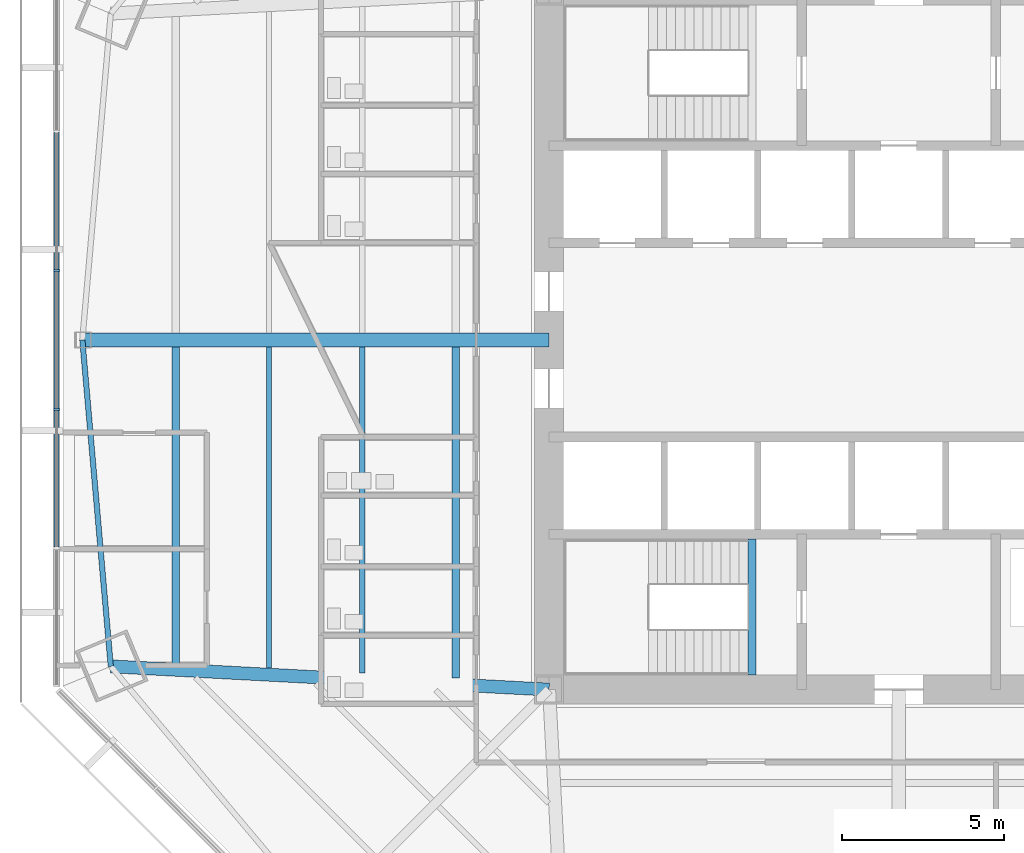
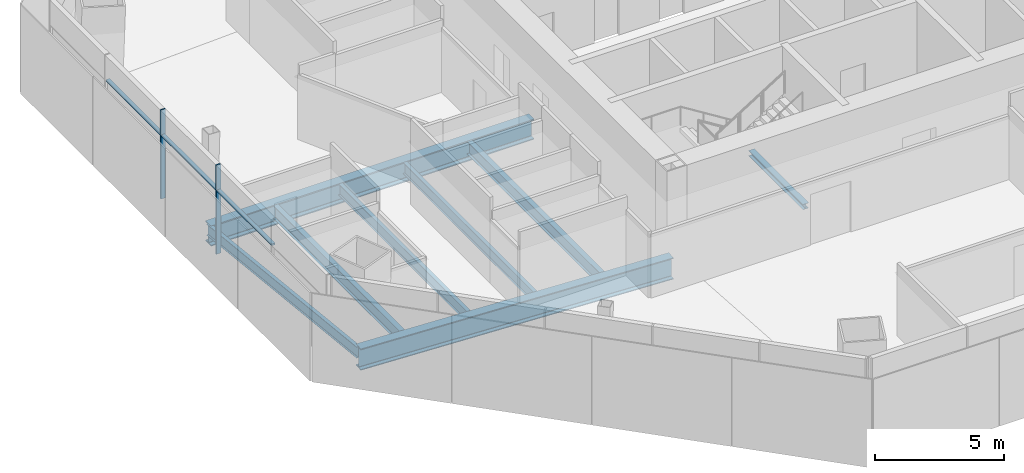
# One storey, part 3 of 15: 8 beams, 5 members, 1 element without a shape of its own.
"""IFC4 building model written with IfcOpenShell, lengths in metres."""

import ifcopenshell
import ifcopenshell.guid

model = None  # the IFC model being written
_history = None  # IfcOwnerHistory: only IFC2X3 demands one
_inside = {}  # id of a spatial element -> (the spatial element, [elements in it])
_under = {}  # id of a project, library or spatial element -> (it, [spatial elements below it])
_declared = {}  # id of a project -> (the project, [libraries it declares])
_typed = {}  # id of a type object -> (the type object, [elements of that type])
_made_of = {}  # id of a material, layer set ... -> (it, [elements and type objects made of it])


def new_model(schema):
    """Start an empty IFC model of exactly this schema.

    Asked for "IFC4X3", IfcOpenShell would pick the latest addendum, in which some entities
    have other attributes; the version numbers below select the first issue.
    IFC2X3 requires an IfcOwnerHistory on every rooted entity: one is made here for all.
    """
    global model, _history
    if schema == "IFC4X3":
        model = ifcopenshell.file(schema_version=(4, 3, 0, 0))
    else:
        model = ifcopenshell.file(schema=schema)
    _inside.clear()
    _under.clear()
    _declared.clear()
    _typed.clear()
    _made_of.clear()
    _history = None
    if model.schema == "IFC2X3":
        org = make("IfcOrganization", Name="unknown")
        user = make(
            "IfcPersonAndOrganization",
            ThePerson=make("IfcPerson", FamilyName="unknown"),
            TheOrganization=org,
        )
        app = make(
            "IfcApplication",
            ApplicationDeveloper=org,
            Version="unknown",
            ApplicationFullName="unknown",
            ApplicationIdentifier="unknown",
        )
        _history = make(
            "IfcOwnerHistory",
            OwningUser=user,
            OwningApplication=app,
            ChangeAction="ADDED",
            CreationDate=0,
        )
    return model


def make(cls, **values):
    """One entity of the class cls with the attributes given. An attribute that is None is left unset."""
    return model.create_entity(
        cls, **{name: value for name, value in values.items() if value is not None}
    )


def rooted(cls, **values):
    """An entity with a GlobalId (a new one), such as an element, a storey or a relation."""
    return make(cls, GlobalId=ifcopenshell.guid.new(), OwnerHistory=_history, **values)


def si_unit(unit_type, name, prefix=None):
    """IfcSIUnit, for example si_unit("LENGTHUNIT", "METRE", prefix="MILLI")."""
    return make("IfcSIUnit", UnitType=unit_type, Prefix=prefix, Name=name)


def assignment(units):
    """IfcUnitAssignment: the units of a project."""
    return None if units is None else make("IfcUnitAssignment", Units=units)


def point(xyz):
    """IfcCartesianPoint."""
    return None if xyz is None else make("IfcCartesianPoint", Coordinates=xyz)


def direction(xyz):
    """IfcDirection."""
    return None if xyz is None else make("IfcDirection", DirectionRatios=xyz)


def frame(location, z_axis=None, x_axis=None):
    """IfcAxis2Placement3D, a coordinate frame: its origin and axes. An axis left out is left unset."""
    return make(
        "IfcAxis2Placement3D",
        Location=point(location),
        Axis=direction(z_axis),
        RefDirection=direction(x_axis),
    )


def frame_2d(location, x_axis=None):
    """IfcAxis2Placement2D, a coordinate frame in the plane: its origin and x axis."""
    return make(
        "IfcAxis2Placement2D", Location=point(location), RefDirection=direction(x_axis)
    )


def origin():
    """The frame at (0, 0, 0) with its axes left unset."""
    return frame((0.0, 0.0, 0.0))


def origin_2d():
    """The frame at (0, 0) in the plane with its x axis left unset."""
    return frame_2d((0.0, 0.0))


def place(relative_to, where):
    """IfcLocalPlacement: puts the frame where relative to a parent placement (None: the world)."""
    return make(
        "IfcLocalPlacement", PlacementRelTo=relative_to, RelativePlacement=where
    )


def context(
    kind, dimensions, precision=None, world=None, true_north=None, identifier=None
):
    """IfcGeometricRepresentationContext, for example the 3D "Model" context."""
    return make(
        "IfcGeometricRepresentationContext",
        ContextIdentifier=identifier,
        ContextType=kind,
        CoordinateSpaceDimension=dimensions,
        Precision=precision,
        WorldCoordinateSystem=world,
        TrueNorth=true_north,
    )


def subcontext(parent, identifier, kind, view, scale=None):
    """IfcGeometricRepresentationSubContext, for example "Body" below "Model"."""
    return make(
        "IfcGeometricRepresentationSubContext",
        ContextIdentifier=identifier,
        ContextType=kind,
        ParentContext=parent,
        TargetScale=scale,
        TargetView=view,
    )


def project(units=None, contexts=None):
    """IfcProject with its units and contexts."""
    return rooted(
        "IfcProject",
        Name="project",
        RepresentationContexts=contexts,
        UnitsInContext=assignment(units),
    )


def spatial(cls, under=None, at=None, **own):
    """A site, building, storey or space (cls), placed at a placement, below another one or the project."""
    s = rooted(cls, ObjectPlacement=at, **own)
    if under is not None:
        _under.setdefault(under.id(), (under, []))[1].append(s)
    return s


def profile(cls, at=None, kind="AREA", **sizes):
    """A parametric profile (cls). Its sizes go by their IFC names, for example OverallWidth=200.0."""
    return make(cls, ProfileType=kind, Position=at, **sizes)


def rectangle(**sizes):
    """IfcRectangleProfileDef."""
    return profile("IfcRectangleProfileDef", **sizes)


def i_section(**sizes):
    """IfcIShapeProfileDef."""
    return profile("IfcIShapeProfileDef", **sizes)


def extrude(swept, where, along, depth):
    """IfcExtrudedAreaSolid: the profile swept, set in the frame where, extruded along a direction by depth."""
    return make(
        "IfcExtrudedAreaSolid",
        SweptArea=swept,
        Position=where,
        ExtrudedDirection=direction(along),
        Depth=depth,
    )


def shape(context_of_items, identifier, shape_type, items):
    """IfcShapeRepresentation: the items that make up one representation, for example the "Body"."""
    return make(
        "IfcShapeRepresentation",
        ContextOfItems=context_of_items,
        RepresentationIdentifier=identifier,
        RepresentationType=shape_type,
        Items=items,
    )


def source(mapping_origin, context_of_items, identifier, shape_type, items):
    """IfcRepresentationMap: a shape defined once, which mapped items show again and again."""
    return make(
        "IfcRepresentationMap",
        MappingOrigin=mapping_origin,
        MappedRepresentation=shape(context_of_items, identifier, shape_type, items),
    )


def transform(
    local_origin,
    x_axis=None,
    y_axis=None,
    z_axis=None,
    scale=None,
    scale2=None,
    scale3=None,
    uniform=True,
):
    """IfcCartesianTransformationOperator3D, or its non-uniform kind. x_axis, y_axis, z_axis: its Axis1, 2, 3."""
    if uniform:
        return make(
            "IfcCartesianTransformationOperator3D",
            Axis1=direction(x_axis),
            Axis2=direction(y_axis),
            LocalOrigin=point(local_origin),
            Scale=scale,
            Axis3=direction(z_axis),
        )
    return make(
        "IfcCartesianTransformationOperator3DnonUniform",
        Axis1=direction(x_axis),
        Axis2=direction(y_axis),
        LocalOrigin=point(local_origin),
        Scale=scale,
        Axis3=direction(z_axis),
        Scale2=scale2,
        Scale3=scale3,
    )


def mapped(mapping_source, mapping_target):
    """IfcMappedItem: shows the shape of a source again, moved by a transform."""
    return make(
        "IfcMappedItem", MappingSource=mapping_source, MappingTarget=mapping_target
    )


def material(Name=None, Category=None):
    """IfcMaterial."""
    return make("IfcMaterial", Name=Name, Category=Category)


def material_profile(
    of_material, cross_section, Name=None, Category=None, Priority=None
):
    """IfcMaterialProfile: a cross section and its material."""
    return make(
        "IfcMaterialProfile",
        Name=Name,
        Material=of_material,
        Profile=cross_section,
        Priority=Priority,
        Category=Category,
    )


def profile_set(profiles, Name=None, composite=None):
    """IfcMaterialProfileSet."""
    return make(
        "IfcMaterialProfileSet",
        Name=Name,
        MaterialProfiles=profiles,
        CompositeProfile=composite,
    )


def made_of(thing, what):
    """Note that an element or type object is made of a material, layer set ...; save() writes the relation."""
    if what is not None:
        _made_of.setdefault(what.id(), (what, []))[1].append(thing)
    return thing


def type_object(cls, material=None, **own):
    """A type object (cls), such as IfcWallType, which elements share."""
    return made_of(rooted(cls, **own), material)


def type_shapes(of_type, sources):
    """Give a type object the sources (RepresentationMaps) that its elements show as mapped items."""
    of_type.RepresentationMaps = sources


def element(
    cls,
    number,
    at=None,
    inside=None,
    cuts=None,
    type_object=None,
    material=None,
    context=None,
    identifier="Body",
    shape_type=None,
    held_by="IfcProductDefinitionShape",
    body=None,
    shapes=None,
    **own,
):
    """One element of the class cls, such as IfcWall. Its Tag is "e" and its number.

    at: its placement. inside: the storey or other place that contains it. cuts: it is an
    opening in that element (IfcRelVoidsElement). A single representation is given by context,
    identifier, shape_type and body (its items); several are given by shapes. held_by: the class
    of the entity that holds the representations. save() writes the other relations.
    """
    e = rooted(cls, Tag="e%d" % number, ObjectPlacement=at, **own)
    if body is not None:
        shapes = [shape(context, identifier, shape_type, body)]
    if shapes is not None:
        e.Representation = make(held_by, Representations=shapes)
    if inside is not None:
        _inside.setdefault(inside.id(), (inside, []))[1].append(e)
    if cuts is not None:
        rooted(
            "IfcRelVoidsElement", RelatingBuildingElement=cuts, RelatedOpeningElement=e
        )
    if type_object is not None:
        _typed.setdefault(type_object.id(), (type_object, []))[1].append(e)
    return made_of(e, material)


def aggregate(whole, parts):
    """IfcRelAggregates: a whole, such as a stair, and the parts it consists of."""
    return rooted("IfcRelAggregates", RelatingObject=whole, RelatedObjects=parts)


def save(model, path):
    """Write the relations noted so far, then the file.

    IfcRelAggregates (storeys below a building ...), IfcRelContainedInSpatialStructure (elements
    in a storey), IfcRelDefinesByType, IfcRelAssociatesMaterial and IfcRelDeclares: one each for
    every whole, place, type object, material and project.
    """
    for whole, parts in _under.values():
        aggregate(whole, parts)
    for where, things in _inside.values():
        rooted(
            "IfcRelContainedInSpatialStructure",
            RelatedElements=things,
            RelatingStructure=where,
        )
    for kind, things in _typed.values():
        rooted("IfcRelDefinesByType", RelatedObjects=things, RelatingType=kind)
    for what, things in _made_of.values():
        rooted("IfcRelAssociatesMaterial", RelatedObjects=things, RelatingMaterial=what)
    for by, libraries in _declared.values():
        rooted("IfcRelDeclares", RelatingContext=by, RelatedDefinitions=libraries)
    model.write(path)


model = new_model("IFC4")

# Units and contexts
model_context = context("Model", 3, precision=1e-05, world=origin(), true_north=direction((0.0, 1.0)))
body_context = subcontext(model_context, "Body", "Model", "MODEL_VIEW")
ifc_project = project(units=[si_unit("LENGTHUNIT", "METRE"), si_unit("AREAUNIT", "SQUARE_METRE"), si_unit("VOLUMEUNIT", "CUBIC_METRE"), si_unit("PLANEANGLEUNIT", "RADIAN"), si_unit("MASSUNIT", "GRAM", prefix="KILO")], contexts=[model_context])

# Site, building, storey
site_placement = place(None, origin())
site = spatial("IfcSite", under=ifc_project, at=site_placement, CompositionType="ELEMENT")
building_placement = place(site_placement, origin())
building = spatial("IfcBuilding", under=site, at=building_placement, Name="Mashrafa Tower", CompositionType="ELEMENT")
storey_placement = place(building_placement, frame((0.0, 0.0, 70.800048828125)))
storey = spatial("IfcBuildingStorey", under=building, at=storey_placement, Name="L15", CompositionType="ELEMENT", Elevation=70.800048828125)

# Beams
ifc_material_1 = material(Name="Steel ASTM A992", Category="steel")
ifc_material_profile_1 = material_profile(ifc_material_1, i_section(OverallWidth=0.165771484375, OverallDepth=0.5283203125, WebThickness=0.009765625, FlangeThickness=0.013671875, FilletRadius=0.012939453125, at=origin_2d()), Name="W21X50")
ifc_profile_set_1 = profile_set([ifc_material_profile_1], Name="Steel ASTM A992")
beam_type_1 = type_object("IfcBeamType", Name="Beam W21X50", PredefinedType="BEAM", material=ifc_profile_set_1)
beam_1_placement = place(storey_placement, frame((-19.449951171875, -10.139892578125, -0.42919921875), z_axis=(0.0, 1.0, 0.0), x_axis=(-1.0, 0.0, 0.0)))
element("IfcBeam", 1, at=beam_1_placement, inside=storey, type_object=beam_type_1, Name="Floor beam L15 004", PredefinedType="BEAM", context=body_context, shape_type="SweptSolid", body=[
    extrude(i_section(OverallWidth=0.165771484375, OverallDepth=0.5283203125, WebThickness=0.009765625, FlangeThickness=0.013671875, FilletRadius=0.012939453125, at=origin_2d()), origin(), (0.0, 0.0, 1.0), 9.927734375),
])
beam_2_placement = place(storey_placement, frame((-16.566650390625, -10.29296875, -0.42919921875), z_axis=(0.0, 1.0, 0.0), x_axis=(-1.0, 0.0, 0.0)))
element("IfcBeam", 2, at=beam_2_placement, inside=storey, type_object=beam_type_1, Name="Floor beam L15 007", PredefinedType="BEAM", context=body_context, shape_type="SweptSolid", body=[
    extrude(i_section(OverallWidth=0.165771484375, OverallDepth=0.5283203125, WebThickness=0.009765625, FlangeThickness=0.013671875, FilletRadius=0.012939453125, at=origin_2d()), origin(), (0.0, 0.0, 1.0), 10.080810546875),
])
beam_3_placement = place(storey_placement, frame((-25.216552734375, 0.0, -0.42919921875), z_axis=(0.086780571481, -0.996227450141, 0.0), x_axis=(0.996227450141, 0.086780571481, 0.0)))
element("IfcBeam", 3, at=beam_3_placement, inside=storey, type_object=beam_type_1, Name="Spandrel beam L15 073", PredefinedType="BEAM", context=body_context, shape_type="SweptSolid", body=[
    extrude(i_section(OverallWidth=0.165771484375, OverallDepth=0.5283203125, WebThickness=0.009765625, FlangeThickness=0.013671875, FilletRadius=0.012939453125, at=origin_2d()), origin(), (0.0, 0.0, 1.0), 10.119384765625),
])
ifc_material_2 = material(Name="Steel ASTM A992", Category="steel")
ifc_material_profile_2 = material_profile(ifc_material_2, i_section(OverallWidth=0.227783203125, OverallDepth=0.60205078125, WebThickness=0.010498046875, FlangeThickness=0.014892578125, FilletRadius=0.012939453125, at=origin_2d()), Name="W24X68")
ifc_profile_set_2 = profile_set([ifc_material_profile_2], Name="Steel ASTM A992")
beam_type_2 = type_object("IfcBeamType", Name="Beam W24X68", PredefinedType="BEAM", material=ifc_profile_set_2)
beam_4_placement = place(storey_placement, frame((-22.333251953125, -9.98681640625, -0.466064453125), z_axis=(0.0, 1.0, 0.0), x_axis=(-1.0, 0.0, 0.0)))
element("IfcBeam", 4, at=beam_4_placement, inside=storey, type_object=beam_type_2, Name="Floor beam L15 001", PredefinedType="BEAM", context=body_context, shape_type="SweptSolid", body=[
    extrude(i_section(OverallWidth=0.227783203125, OverallDepth=0.60205078125, WebThickness=0.010498046875, FlangeThickness=0.014892578125, FilletRadius=0.012939453125, at=origin_2d()), origin(), (0.0, 0.0, 1.0), 9.774658203125),
])
beam_5_placement = place(storey_placement, frame((-13.683349609375, -10.446044921875, -0.466064453125), z_axis=(0.0, 1.0, 0.0), x_axis=(-1.0, 0.0, 0.0)))
element("IfcBeam", 5, at=beam_5_placement, inside=storey, type_object=beam_type_2, Name="Floor beam L15 014", PredefinedType="BEAM", context=body_context, shape_type="SweptSolid", body=[
    extrude(i_section(OverallWidth=0.227783203125, OverallDepth=0.60205078125, WebThickness=0.010498046875, FlangeThickness=0.014892578125, FilletRadius=0.012939453125, at=origin_2d()), origin(), (0.0, 0.0, 1.0), 10.23388671875),
])
ifc_material_3 = material(Name="Steel ASTM A992", Category="steel")
ifc_material_profile_3 = material_profile(ifc_material_3, i_section(OverallWidth=0.424072265625, OverallDepth=0.960205078125, WebThickness=0.028564453125, FlangeThickness=0.051025390625, FilletRadius=0.02001953125, at=origin_2d()), Name="W36X361")
ifc_profile_set_3 = profile_set([ifc_material_profile_3], Name="Steel ASTM A992")
beam_type_3 = type_object("IfcBeamType", Name="Beam W36X361", PredefinedType="BEAM", material=ifc_profile_set_3)
beam_6_placement = place(storey_placement, frame((-10.800048828125, 0.0, -0.64501953125), z_axis=(-1.0, 0.0, 0.0), x_axis=(0.0, -1.0, 0.0)))
element("IfcBeam", 6, at=beam_6_placement, inside=storey, type_object=beam_type_3, Name="Radial girder L15 060", PredefinedType="BEAM", context=body_context, shape_type="SweptSolid", body=[
    extrude(i_section(OverallWidth=0.424072265625, OverallDepth=0.960205078125, WebThickness=0.028564453125, FlangeThickness=0.051025390625, FilletRadius=0.02001953125, at=origin_2d()), origin(), (0.0, 0.0, 1.0), 14.41650390625),
])
ifc_material_4 = material(Name="Steel ASTM A992", Category="steel")
ifc_material_profile_4 = material_profile(ifc_material_4, i_section(OverallWidth=0.4013671875, OverallDepth=1.010986328125, WebThickness=0.023681640625, FlangeThickness=0.0419921875, FilletRadius=0.02001953125, at=origin_2d()), Name="W40X297")
ifc_profile_set_4 = profile_set([ifc_material_profile_4], Name="Steel ASTM A992")
beam_type_4 = type_object("IfcBeamType", Name="Beam W40X297", PredefinedType="BEAM", material=ifc_profile_set_4)
beam_7_placement = place(storey_placement, frame((-10.800048828125, -10.800048828125, -0.67041015625), z_axis=(-0.998593697831, 0.05301534356, 0.0), x_axis=(-0.05301534356, -0.998593697831, 0.0)))
element("IfcBeam", 7, at=beam_7_placement, inside=storey, type_object=beam_type_4, Name="Radial girder L15 057", PredefinedType="BEAM", context=body_context, shape_type="SweptSolid", body=[
    extrude(i_section(OverallWidth=0.4013671875, OverallDepth=1.010986328125, WebThickness=0.023681640625, FlangeThickness=0.0419921875, FilletRadius=0.02001953125, at=origin_2d()), origin(), (0.0, 0.0, 1.0), 13.557373046875),
])
ifc_material_5 = material(Name="Steel ASTM A992", Category="steel")
ifc_material_profile_5 = material_profile(ifc_material_5, i_section(OverallWidth=0.25390625, OverallDepth=0.25390625, WebThickness=0.008544921875, FlangeThickness=0.01416015625, FilletRadius=0.010009765625, at=origin_2d()), Name="W10X49")
ifc_profile_set_5 = profile_set([ifc_material_profile_5], Name="Steel ASTM A992")
beam_type_5 = type_object("IfcBeamType", Name="Hoistway beam W10X49", PredefinedType="BEAM", material=ifc_profile_set_5)
beam_8_placement = place(storey_placement, frame((-4.530029296875, -10.35009765625, -0.3271484375), z_axis=(0.0, 1.0, 0.0), x_axis=(-1.0, 0.0, 0.0)))
element("IfcBeam", 8, at=beam_8_placement, inside=storey, type_object=beam_type_5, Name="Stair S3 landing beam L15", PredefinedType="BEAM", context=body_context, shape_type="SweptSolid", body=[
    extrude(i_section(OverallWidth=0.25390625, OverallDepth=0.25390625, WebThickness=0.008544921875, FlangeThickness=0.01416015625, FilletRadius=0.010009765625, at=origin_2d()), origin(), (0.0, 0.0, 1.0), 4.2001953125),
])

# Curtain wall, members
ifc_material_6 = material(Name="Unitised aluminium curtain wall", Category="aluminium")
curtain_wall_type = type_object("IfcCurtainWallType", Name="Office curtain wall, zone 1 CW-A 200 deep", PredefinedType="NOTDEFINED", material=ifc_material_6)
curtain_wall_placement = place(storey_placement, origin())
curtain_wall = element("IfcCurtainWall", 9, at=curtain_wall_placement, inside=storey, type_object=curtain_wall_type, Name="Office curtain wall, zone 1 L15 west", PredefinedType="NOTDEFINED")
ifc_material_7 = material(Name="Extruded aluminium mullion", Category="aluminium")
ifc_material_profile_6 = material_profile(ifc_material_7, rectangle(XDim=0.199951171875, YDim=0.06494140625, at=origin_2d()), Name="Mullion 65x200")
ifc_profile_set_6 = profile_set([ifc_material_profile_6], Name="Extruded aluminium mullion")
member_type_1 = type_object("IfcMemberType", Name="Mullion CW-A 65 x 200", PredefinedType="MULLION", material=ifc_profile_set_6)
shared_shape_1 = source(origin(), body_context, "Body", "SweptSolid", [
    extrude(rectangle(XDim=0.199951171875, YDim=0.06494140625, at=origin_2d()), origin(), (0.0, 0.0, 1.0), 4.199951171875),
])
type_shapes(member_type_1, [shared_shape_1])
member_1_placement = place(storey_placement, frame((-26.011962890625, 2.14453125, 0.0), z_axis=(0.0, 0.0, 1.0), x_axis=(1.0, 0.0, 0.0)))
member_1 = element("IfcMember", 10, at=member_1_placement, type_object=member_type_1, Name="CW-A mullion 3", PredefinedType="MULLION", context=body_context, shape_type="MappedRepresentation", body=[
    mapped(shared_shape_1, transform((0.0, 0.0, 0.0))),
])
member_2_placement = place(storey_placement, frame((-26.011962890625, -2.14453125, 0.0), z_axis=(0.0, 0.0, 1.0), x_axis=(1.0, 0.0, 0.0)))
member_2 = element("IfcMember", 11, at=member_2_placement, type_object=member_type_1, Name="CW-A mullion 4", PredefinedType="MULLION", context=body_context, shape_type="MappedRepresentation", body=[
    mapped(shared_shape_1, transform((0.0, 0.0, 0.0))),
])
ifc_material_8 = material(Name="Extruded aluminium transom", Category="aluminium")
ifc_material_profile_7 = material_profile(ifc_material_8, rectangle(XDim=0.159912109375, YDim=0.080078125, at=origin_2d()), Name="Transom 80x160")
ifc_profile_set_7 = profile_set([ifc_material_profile_7], Name="Extruded aluminium transom")
member_type_2 = type_object("IfcMemberType", Name="Transom CW-A 80 x 160", PredefinedType="MULLION", material=ifc_profile_set_7)
shared_shape_2 = source(origin(), body_context, "Body", "SweptSolid", [
    extrude(rectangle(XDim=0.159912109375, YDim=0.080078125, at=origin_2d()), origin(), (0.0, 0.0, 1.0), 4.224365234375),
])
member_3_placement = place(storey_placement, frame((-26.011962890625, 6.4013671875, 3.0), z_axis=(0.0, -1.0, 0.0), x_axis=(1.0, 0.0, 0.0)))
member_3 = element("IfcMember", 12, at=member_3_placement, type_object=member_type_2, Name="CW-A transom 2", PredefinedType="MULLION", context=body_context, shape_type="MappedRepresentation", body=[
    mapped(shared_shape_2, transform((0.0, 0.0, 0.0))),
])
member_4_placement = place(storey_placement, frame((-26.011962890625, -2.177001953125, 3.0), z_axis=(0.0, -1.0, 0.0), x_axis=(1.0, 0.0, 0.0)))
member_4 = element("IfcMember", 13, at=member_4_placement, type_object=member_type_2, Name="CW-A transom 4", PredefinedType="MULLION", context=body_context, shape_type="MappedRepresentation", body=[
    mapped(shared_shape_2, transform((0.0, 0.0, 0.0))),
])
shared_shape_3 = source(origin(), body_context, "Body", "SweptSolid", [
    extrude(rectangle(XDim=0.159912109375, YDim=0.080078125, at=origin_2d()), origin(), (0.0, 0.0, 1.0), 4.22412109375),
])
type_shapes(member_type_2, [shared_shape_2, shared_shape_3])
member_5_placement = place(storey_placement, frame((-26.011962890625, 2.112060546875, 3.0), z_axis=(0.0, -1.0, 0.0), x_axis=(1.0, 0.0, 0.0)))
member_5 = element("IfcMember", 14, at=member_5_placement, type_object=member_type_2, Name="CW-A transom 3", PredefinedType="MULLION", context=body_context, shape_type="MappedRepresentation", body=[
    mapped(shared_shape_3, transform((0.0, 0.0, 0.0))),
])
aggregate(curtain_wall, [member_1, member_2, member_3, member_5, member_4])

save(model, "model.ifc")
